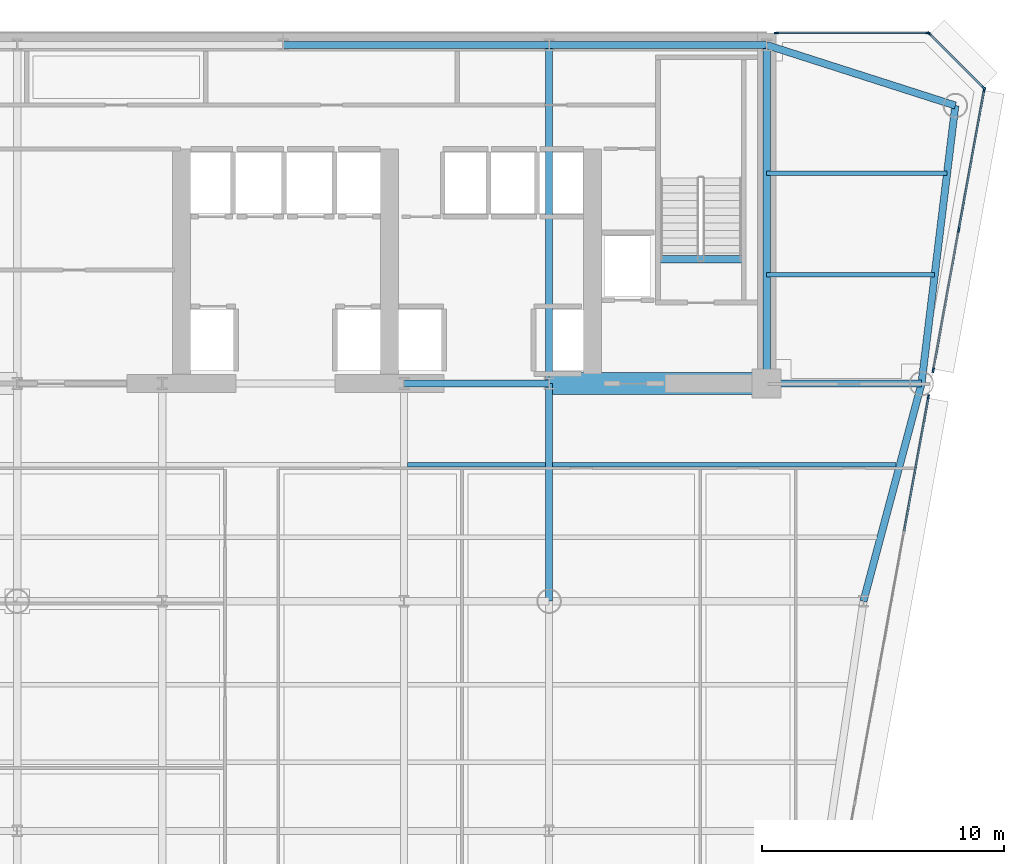
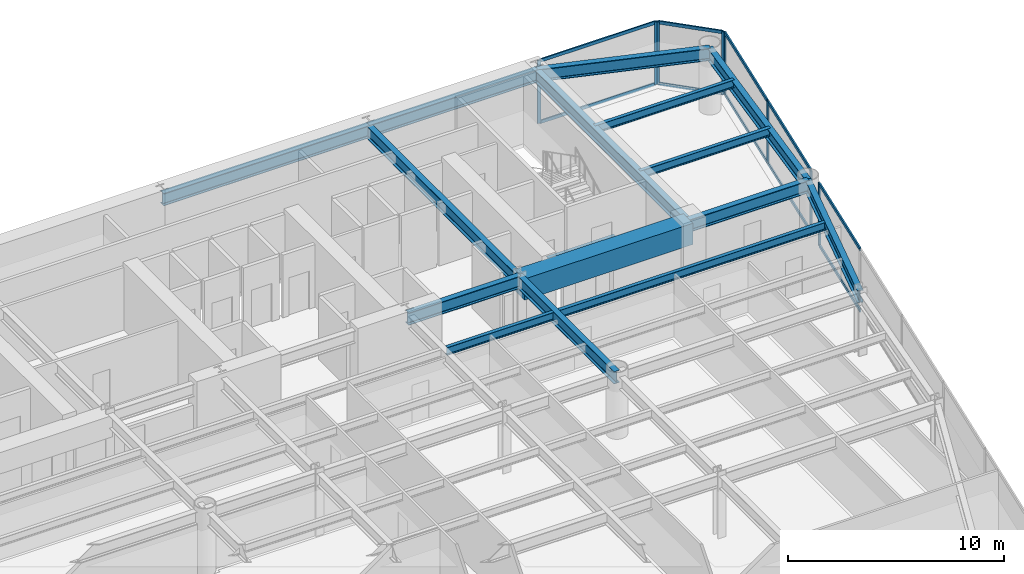
# One storey, part 6 of 14: 18 members, 16 beams, 4 elements without a shape of their own.
"""IFC4 building model written with IfcOpenShell, lengths in metres."""

import ifcopenshell
import ifcopenshell.guid

model = None  # the IFC model being written
_history = None  # IfcOwnerHistory: only IFC2X3 demands one
_inside = {}  # id of a spatial element -> (the spatial element, [elements in it])
_under = {}  # id of a project, library or spatial element -> (it, [spatial elements below it])
_declared = {}  # id of a project -> (the project, [libraries it declares])
_typed = {}  # id of a type object -> (the type object, [elements of that type])
_made_of = {}  # id of a material, layer set ... -> (it, [elements and type objects made of it])


def new_model(schema):
    """Start an empty IFC model of exactly this schema.

    Asked for "IFC4X3", IfcOpenShell would pick the latest addendum, in which some entities
    have other attributes; the version numbers below select the first issue.
    IFC2X3 requires an IfcOwnerHistory on every rooted entity: one is made here for all.
    """
    global model, _history
    if schema == "IFC4X3":
        model = ifcopenshell.file(schema_version=(4, 3, 0, 0))
    else:
        model = ifcopenshell.file(schema=schema)
    _inside.clear()
    _under.clear()
    _declared.clear()
    _typed.clear()
    _made_of.clear()
    _history = None
    if model.schema == "IFC2X3":
        org = make("IfcOrganization", Name="unknown")
        user = make(
            "IfcPersonAndOrganization",
            ThePerson=make("IfcPerson", FamilyName="unknown"),
            TheOrganization=org,
        )
        app = make(
            "IfcApplication",
            ApplicationDeveloper=org,
            Version="unknown",
            ApplicationFullName="unknown",
            ApplicationIdentifier="unknown",
        )
        _history = make(
            "IfcOwnerHistory",
            OwningUser=user,
            OwningApplication=app,
            ChangeAction="ADDED",
            CreationDate=0,
        )
    return model


def make(cls, **values):
    """One entity of the class cls with the attributes given. An attribute that is None is left unset."""
    return model.create_entity(
        cls, **{name: value for name, value in values.items() if value is not None}
    )


def rooted(cls, **values):
    """An entity with a GlobalId (a new one), such as an element, a storey or a relation."""
    return make(cls, GlobalId=ifcopenshell.guid.new(), OwnerHistory=_history, **values)


def si_unit(unit_type, name, prefix=None):
    """IfcSIUnit, for example si_unit("LENGTHUNIT", "METRE", prefix="MILLI")."""
    return make("IfcSIUnit", UnitType=unit_type, Prefix=prefix, Name=name)


def assignment(units):
    """IfcUnitAssignment: the units of a project."""
    return None if units is None else make("IfcUnitAssignment", Units=units)


def point(xyz):
    """IfcCartesianPoint."""
    return None if xyz is None else make("IfcCartesianPoint", Coordinates=xyz)


def direction(xyz):
    """IfcDirection."""
    return None if xyz is None else make("IfcDirection", DirectionRatios=xyz)


def frame(location, z_axis=None, x_axis=None):
    """IfcAxis2Placement3D, a coordinate frame: its origin and axes. An axis left out is left unset."""
    return make(
        "IfcAxis2Placement3D",
        Location=point(location),
        Axis=direction(z_axis),
        RefDirection=direction(x_axis),
    )


def frame_2d(location, x_axis=None):
    """IfcAxis2Placement2D, a coordinate frame in the plane: its origin and x axis."""
    return make(
        "IfcAxis2Placement2D", Location=point(location), RefDirection=direction(x_axis)
    )


def origin():
    """The frame at (0, 0, 0) with its axes left unset."""
    return frame((0.0, 0.0, 0.0))


def origin_2d():
    """The frame at (0, 0) in the plane with its x axis left unset."""
    return frame_2d((0.0, 0.0))


def place(relative_to, where):
    """IfcLocalPlacement: puts the frame where relative to a parent placement (None: the world)."""
    return make(
        "IfcLocalPlacement", PlacementRelTo=relative_to, RelativePlacement=where
    )


def context(
    kind, dimensions, precision=None, world=None, true_north=None, identifier=None
):
    """IfcGeometricRepresentationContext, for example the 3D "Model" context."""
    return make(
        "IfcGeometricRepresentationContext",
        ContextIdentifier=identifier,
        ContextType=kind,
        CoordinateSpaceDimension=dimensions,
        Precision=precision,
        WorldCoordinateSystem=world,
        TrueNorth=true_north,
    )


def subcontext(parent, identifier, kind, view, scale=None):
    """IfcGeometricRepresentationSubContext, for example "Body" below "Model"."""
    return make(
        "IfcGeometricRepresentationSubContext",
        ContextIdentifier=identifier,
        ContextType=kind,
        ParentContext=parent,
        TargetScale=scale,
        TargetView=view,
    )


def project(units=None, contexts=None):
    """IfcProject with its units and contexts."""
    return rooted(
        "IfcProject",
        Name="project",
        RepresentationContexts=contexts,
        UnitsInContext=assignment(units),
    )


def spatial(cls, under=None, at=None, **own):
    """A site, building, storey or space (cls), placed at a placement, below another one or the project."""
    s = rooted(cls, ObjectPlacement=at, **own)
    if under is not None:
        _under.setdefault(under.id(), (under, []))[1].append(s)
    return s


def profile(cls, at=None, kind="AREA", **sizes):
    """A parametric profile (cls). Its sizes go by their IFC names, for example OverallWidth=200.0."""
    return make(cls, ProfileType=kind, Position=at, **sizes)


def rectangle(**sizes):
    """IfcRectangleProfileDef."""
    return profile("IfcRectangleProfileDef", **sizes)


def i_section(**sizes):
    """IfcIShapeProfileDef."""
    return profile("IfcIShapeProfileDef", **sizes)


def extrude(swept, where, along, depth):
    """IfcExtrudedAreaSolid: the profile swept, set in the frame where, extruded along a direction by depth."""
    return make(
        "IfcExtrudedAreaSolid",
        SweptArea=swept,
        Position=where,
        ExtrudedDirection=direction(along),
        Depth=depth,
    )


def shape(context_of_items, identifier, shape_type, items):
    """IfcShapeRepresentation: the items that make up one representation, for example the "Body"."""
    return make(
        "IfcShapeRepresentation",
        ContextOfItems=context_of_items,
        RepresentationIdentifier=identifier,
        RepresentationType=shape_type,
        Items=items,
    )


def source(mapping_origin, context_of_items, identifier, shape_type, items):
    """IfcRepresentationMap: a shape defined once, which mapped items show again and again."""
    return make(
        "IfcRepresentationMap",
        MappingOrigin=mapping_origin,
        MappedRepresentation=shape(context_of_items, identifier, shape_type, items),
    )


def transform(
    local_origin,
    x_axis=None,
    y_axis=None,
    z_axis=None,
    scale=None,
    scale2=None,
    scale3=None,
    uniform=True,
):
    """IfcCartesianTransformationOperator3D, or its non-uniform kind. x_axis, y_axis, z_axis: its Axis1, 2, 3."""
    if uniform:
        return make(
            "IfcCartesianTransformationOperator3D",
            Axis1=direction(x_axis),
            Axis2=direction(y_axis),
            LocalOrigin=point(local_origin),
            Scale=scale,
            Axis3=direction(z_axis),
        )
    return make(
        "IfcCartesianTransformationOperator3DnonUniform",
        Axis1=direction(x_axis),
        Axis2=direction(y_axis),
        LocalOrigin=point(local_origin),
        Scale=scale,
        Axis3=direction(z_axis),
        Scale2=scale2,
        Scale3=scale3,
    )


def mapped(mapping_source, mapping_target):
    """IfcMappedItem: shows the shape of a source again, moved by a transform."""
    return make(
        "IfcMappedItem", MappingSource=mapping_source, MappingTarget=mapping_target
    )


def material(Name=None, Category=None):
    """IfcMaterial."""
    return make("IfcMaterial", Name=Name, Category=Category)


def layer(
    of_material, thickness, ventilated=None, Name=None, Category=None, Priority=None
):
    """IfcMaterialLayer: one layer of a wall or slab, of a material (None: an air gap)."""
    return make(
        "IfcMaterialLayer",
        Material=of_material,
        LayerThickness=thickness,
        IsVentilated=ventilated,
        Name=Name,
        Category=Category,
        Priority=Priority,
    )


def layer_set(layers, Name=None):
    """IfcMaterialLayerSet."""
    return make("IfcMaterialLayerSet", MaterialLayers=layers, LayerSetName=Name)


def material_profile(
    of_material, cross_section, Name=None, Category=None, Priority=None
):
    """IfcMaterialProfile: a cross section and its material."""
    return make(
        "IfcMaterialProfile",
        Name=Name,
        Material=of_material,
        Profile=cross_section,
        Priority=Priority,
        Category=Category,
    )


def profile_set(profiles, Name=None, composite=None):
    """IfcMaterialProfileSet."""
    return make(
        "IfcMaterialProfileSet",
        Name=Name,
        MaterialProfiles=profiles,
        CompositeProfile=composite,
    )


def made_of(thing, what):
    """Note that an element or type object is made of a material, layer set ...; save() writes the relation."""
    if what is not None:
        _made_of.setdefault(what.id(), (what, []))[1].append(thing)
    return thing


def type_object(cls, material=None, **own):
    """A type object (cls), such as IfcWallType, which elements share."""
    return made_of(rooted(cls, **own), material)


def element(
    cls,
    number,
    at=None,
    inside=None,
    cuts=None,
    type_object=None,
    material=None,
    context=None,
    identifier="Body",
    shape_type=None,
    held_by="IfcProductDefinitionShape",
    body=None,
    shapes=None,
    **own,
):
    """One element of the class cls, such as IfcWall. Its Tag is "e" and its number.

    at: its placement. inside: the storey or other place that contains it. cuts: it is an
    opening in that element (IfcRelVoidsElement). A single representation is given by context,
    identifier, shape_type and body (its items); several are given by shapes. held_by: the class
    of the entity that holds the representations. save() writes the other relations.
    """
    e = rooted(cls, Tag="e%d" % number, ObjectPlacement=at, **own)
    if body is not None:
        shapes = [shape(context, identifier, shape_type, body)]
    if shapes is not None:
        e.Representation = make(held_by, Representations=shapes)
    if inside is not None:
        _inside.setdefault(inside.id(), (inside, []))[1].append(e)
    if cuts is not None:
        rooted(
            "IfcRelVoidsElement", RelatingBuildingElement=cuts, RelatedOpeningElement=e
        )
    if type_object is not None:
        _typed.setdefault(type_object.id(), (type_object, []))[1].append(e)
    return made_of(e, material)


def aggregate(whole, parts):
    """IfcRelAggregates: a whole, such as a stair, and the parts it consists of."""
    return rooted("IfcRelAggregates", RelatingObject=whole, RelatedObjects=parts)


def save(model, path):
    """Write the relations noted so far, then the file.

    IfcRelAggregates (storeys below a building ...), IfcRelContainedInSpatialStructure (elements
    in a storey), IfcRelDefinesByType, IfcRelAssociatesMaterial and IfcRelDeclares: one each for
    every whole, place, type object, material and project.
    """
    for whole, parts in _under.values():
        aggregate(whole, parts)
    for where, things in _inside.values():
        rooted(
            "IfcRelContainedInSpatialStructure",
            RelatedElements=things,
            RelatingStructure=where,
        )
    for kind, things in _typed.values():
        rooted("IfcRelDefinesByType", RelatedObjects=things, RelatingType=kind)
    for what, things in _made_of.values():
        rooted("IfcRelAssociatesMaterial", RelatedObjects=things, RelatingMaterial=what)
    for by, libraries in _declared.values():
        rooted("IfcRelDeclares", RelatingContext=by, RelatedDefinitions=libraries)
    model.write(path)


model = new_model("IFC4")

# Units and contexts
model_context = context("Model", 3, precision=1e-05, world=origin(), true_north=direction((0.0, 1.0)))
body_context = subcontext(model_context, "Body", "Model", "MODEL_VIEW")
ifc_project = project(units=[si_unit("LENGTHUNIT", "METRE"), si_unit("AREAUNIT", "SQUARE_METRE"), si_unit("VOLUMEUNIT", "CUBIC_METRE"), si_unit("PLANEANGLEUNIT", "RADIAN"), si_unit("MASSUNIT", "GRAM", prefix="KILO")], contexts=[model_context])

# Site, building, storey
site_placement = place(None, origin())
site = spatial("IfcSite", under=ifc_project, at=site_placement, CompositionType="ELEMENT")
building_placement = place(site_placement, origin())
building = spatial("IfcBuilding", under=site, at=building_placement, Name="Vaeldorn Concourse Tower", CompositionType="ELEMENT")
storey_placement = place(building_placement, frame((0.0, 0.0, 145.199951171875)))
storey = spatial("IfcBuildingStorey", under=building, at=storey_placement, Name="L37", CompositionType="ELEMENT", Elevation=145.199951171875)

# Beams
ifc_material_1 = material(Name="Concrete C60/75", Category="concrete")
ifc_material_profile_1 = material_profile(ifc_material_1, rectangle(XDim=0.89990234375, YDim=1.199951171875, at=origin_2d()), Name="RC 900x1200")
ifc_profile_set_1 = profile_set([ifc_material_profile_1], Name="Concrete C60/75")
beam_type_1 = type_object("IfcBeamType", Name="BM-CB-RC900", PredefinedType="BEAM", material=ifc_profile_set_1)
shared_shape_1 = source(origin(), body_context, "Body", "SweptSolid", [
    extrude(rectangle(XDim=0.89990234375, YDim=1.199951171875, at=origin_2d()), origin(), (0.0, 0.0, 1.0), 9.0),
])
beam_1_placement = place(storey_placement, frame((45.0, 36.5, 2.93994140625), z_axis=(1.0, 0.0, 0.0), x_axis=(0.0, 1.0, 0.0)))
element("IfcBeam", 1, at=beam_1_placement, inside=storey, type_object=beam_type_1, Name="Core Coupling Beam L37-2", PredefinedType="BEAM", context=body_context, shape_type="MappedRepresentation", body=[
    mapped(shared_shape_1, transform((0.0, 0.0, 0.0), scale=1.0)),
])
ifc_material_2 = material(Name="Steel S355", Category="steel")
ifc_material_profile_2 = material_profile(ifc_material_2, i_section(OverallWidth=0.300048828125, OverallDepth=0.340087890625, WebThickness=0.011962890625, FlangeThickness=0.021484375, FilletRadius=0.027099609375, at=origin_2d()), Name="HEB 340")
ifc_profile_set_2 = profile_set([ifc_material_profile_2], Name="Steel S355")
beam_type_2 = type_object("IfcBeamType", Name="BM-ST-TRIM", PredefinedType="BEAM", material=ifc_profile_set_2)
shared_shape_2 = source(origin(), body_context, "Body", "SweptSolid", [
    extrude(i_section(OverallWidth=0.300048828125, OverallDepth=0.340087890625, WebThickness=0.011962890625, FlangeThickness=0.021484375, FilletRadius=0.027099609375, at=origin_2d()), origin(), (0.0, 0.0, 1.0), 3.590087890625),
])
beam_2_placement = place(storey_placement, frame((49.47998046875, 41.639892578125, -0.389892578125), z_axis=(1.0, 0.0, 0.0), x_axis=(0.0, 1.0, 0.0)))
element("IfcBeam", 2, at=beam_2_placement, inside=storey, type_object=beam_type_2, Name="Stair Landing Trimmer Beam ST-2 L37", PredefinedType="BEAM", context=body_context, shape_type="MappedRepresentation", body=[
    mapped(shared_shape_2, transform((0.0, 0.0, 0.0), scale=1.0)),
])
ifc_material_profile_3 = material_profile(ifc_material_2, i_section(OverallWidth=0.300048828125, OverallDepth=0.699951171875, WebThickness=0.01708984375, FlangeThickness=0.031982421875, FilletRadius=0.027099609375, at=origin_2d()), Name="HEB 700")
ifc_profile_set_3 = profile_set([ifc_material_profile_3], Name="Steel S355")
beam_type_3 = type_object("IfcBeamType", Name="BM-PG-HEB700", PredefinedType="BEAM", material=ifc_profile_set_3)
shared_shape_3 = source(origin(), body_context, "Body", "SweptSolid", [
    extrude(i_section(OverallWidth=0.300048828125, OverallDepth=0.699951171875, WebThickness=0.01708984375, FlangeThickness=0.031982421875, FilletRadius=0.027099609375, at=origin_2d()), origin(), (0.0, 0.0, 1.0), 6.0),
])
beam_3_placement = place(storey_placement, frame((39.0, 36.5, 3.18994140625), z_axis=(1.0, 0.0, 0.0), x_axis=(0.0, 1.0, 0.0)))
element("IfcBeam", 3, at=beam_3_placement, inside=storey, type_object=beam_type_3, Name="Beam BM-L37-C-FC4-C-FC5", PredefinedType="BEAM", context=body_context, shape_type="MappedRepresentation", body=[
    mapped(shared_shape_3, transform((0.0, 0.0, 0.0), scale=1.0)),
])
shared_shape_4 = source(origin(), body_context, "Body", "SweptSolid", [
    extrude(i_section(OverallWidth=0.300048828125, OverallDepth=0.699951171875, WebThickness=0.01708984375, FlangeThickness=0.031982421875, FilletRadius=0.027099609375, at=origin_2d()), origin(), (0.0, 0.0, 1.0), 9.0),
])
for number, where, z_axis, x_axis, name in (
    (4, (45.0, 50.5, 3.18994140625), (1.0, 0.0, 0.0), (0.0, 1.0, 0.0), "Beam BM-L37-C-HC4-C-HC5"),
    (5, (45.0, 27.5, 3.18994140625), (0.0, 1.0, 0.0), (-1.0, 0.0, 0.0), "Beam BM-L37-C-TW4-C-FC5"),
):
    element("IfcBeam", number, at=place(storey_placement, frame(where, z_axis=z_axis, x_axis=x_axis)), inside=storey, type_object=beam_type_3, Name=name, PredefinedType="BEAM", context=body_context, shape_type="MappedRepresentation", body=[
        mapped(shared_shape_4, transform((0.0, 0.0, 0.0), scale=1.0)),
    ])
shared_shape_5 = source(origin(), body_context, "Body", "SweptSolid", [
    extrude(i_section(OverallWidth=0.300048828125, OverallDepth=0.699951171875, WebThickness=0.01708984375, FlangeThickness=0.031982421875, FilletRadius=0.027099609375, at=origin_2d()), origin(), (0.0, 0.0, 1.0), 11.0),
])
beam_4_placement = place(storey_placement, frame((34.0, 50.5, 3.18994140625), z_axis=(1.0, 0.0, 0.0), x_axis=(0.0, 1.0, 0.0)))
element("IfcBeam", 6, at=beam_4_placement, inside=storey, type_object=beam_type_3, Name="Beam BM-L37-C-HC3-C-HC4", PredefinedType="BEAM", context=body_context, shape_type="MappedRepresentation", body=[
    mapped(shared_shape_5, transform((0.0, 0.0, 0.0), scale=1.0)),
])
shared_shape_6 = source(origin(), body_context, "Body", "SweptSolid", [
    extrude(i_section(OverallWidth=0.300048828125, OverallDepth=0.699951171875, WebThickness=0.01708984375, FlangeThickness=0.031982421875, FilletRadius=0.027099609375, at=origin_2d()), origin(), (0.0, 0.0, 1.0), 14.0),
])
for number, where, z_axis, x_axis, name in (
    (7, (45.0, 36.5, 3.18994140625), (0.0, 1.0, 0.0), (-1.0, 0.0, 0.0), "Beam BM-L37-C-FC5-C-HC4"),
    (8, (54.0, 36.5, 3.18994140625), (0.0, 1.0, 0.0), (-1.0, 0.0, 0.0), "Beam BM-L37-C-FC6-C-HC5"),
):
    element("IfcBeam", number, at=place(storey_placement, frame(where, z_axis=z_axis, x_axis=x_axis)), inside=storey, type_object=beam_type_3, Name=name, PredefinedType="BEAM", context=body_context, shape_type="MappedRepresentation", body=[
        mapped(shared_shape_6, transform((0.0, 0.0, 0.0), scale=1.0)),
    ])
shared_shape_7 = source(origin(), body_context, "Body", "SweptSolid", [
    extrude(i_section(OverallWidth=0.300048828125, OverallDepth=0.699951171875, WebThickness=0.01708984375, FlangeThickness=0.031982421875, FilletRadius=0.027099609375, at=origin_2d()), origin(), (0.0, 0.0, 1.0), 8.19091796875),
])
beam_5_placement = place(storey_placement, frame((54.0, 50.5, 3.18994140625), z_axis=(0.952282843383, -0.305216949396, 0.0), x_axis=(0.305216949396, 0.952282843383, 0.0)))
element("IfcBeam", 9, at=beam_5_placement, inside=storey, type_object=beam_type_3, Name="Beam BM-L37-C-HC5-C-NE1", PredefinedType="BEAM", context=body_context, shape_type="MappedRepresentation", body=[
    mapped(shared_shape_7, transform((0.0, 0.0, 0.0), scale=1.0)),
])
shared_shape_8 = source(origin(), body_context, "Body", "SweptSolid", [
    extrude(i_section(OverallWidth=0.300048828125, OverallDepth=0.699951171875, WebThickness=0.01708984375, FlangeThickness=0.031982421875, FilletRadius=0.027099609375, at=origin_2d()), origin(), (0.0, 0.0, 1.0), 11.5849609375),
])
beam_6_placement = place(storey_placement, frame((61.800048828125, 48.0, 3.18994140625), z_axis=(-0.120859382899, -0.992669637677, 0.0), x_axis=(0.992669637677, -0.120859382899, 0.0)))
element("IfcBeam", 10, at=beam_6_placement, inside=storey, type_object=beam_type_3, Name="Beam BM-L37-C-NE1-C-NE2", PredefinedType="BEAM", context=body_context, shape_type="MappedRepresentation", body=[
    mapped(shared_shape_8, transform((0.0, 0.0, 0.0), scale=1.0)),
])
shared_shape_9 = source(origin(), body_context, "Body", "SweptSolid", [
    extrude(i_section(OverallWidth=0.300048828125, OverallDepth=0.699951171875, WebThickness=0.01708984375, FlangeThickness=0.031982421875, FilletRadius=0.027099609375, at=origin_2d()), origin(), (0.0, 0.0, 1.0), 6.39990234375),
])
beam_7_placement = place(storey_placement, frame((54.0, 36.5, 3.18994140625), z_axis=(1.0, 0.0, 0.0), x_axis=(0.0, 1.0, 0.0)))
element("IfcBeam", 11, at=beam_7_placement, inside=storey, type_object=beam_type_3, Name="Beam BM-L37-C-FC6-C-NE2", PredefinedType="BEAM", context=body_context, shape_type="MappedRepresentation", body=[
    mapped(shared_shape_9, transform((0.0, 0.0, 0.0), scale=1.0)),
])
shared_shape_10 = source(origin(), body_context, "Body", "SweptSolid", [
    extrude(i_section(OverallWidth=0.300048828125, OverallDepth=0.699951171875, WebThickness=0.01708984375, FlangeThickness=0.031982421875, FilletRadius=0.027099609375, at=origin_2d()), origin(), (0.0, 0.0, 1.0), 9.314453125),
])
beam_8_placement = place(storey_placement, frame((60.39990234375, 36.5, 3.18994140625), z_axis=(-0.257652862255, -0.966237549763, 0.0), x_axis=(0.966237549763, -0.257652862255, 0.0)))
element("IfcBeam", 12, at=beam_8_placement, inside=storey, type_object=beam_type_3, Name="Beam BM-L37-C-NE2-C-FLE1", PredefinedType="BEAM", context=body_context, shape_type="MappedRepresentation", body=[
    mapped(shared_shape_10, transform((0.0, 0.0, 0.0), scale=1.0)),
])
ifc_material_profile_4 = material_profile(ifc_material_2, i_section(OverallWidth=0.18994140625, OverallDepth=0.449951171875, WebThickness=0.009521484375, FlangeThickness=0.0146484375, FilletRadius=0.02099609375, at=origin_2d()), Name="IPE 450")
ifc_profile_set_4 = profile_set([ifc_material_profile_4], Name="Steel S355")
beam_type_4 = type_object("IfcBeamType", Name="BM-JS-IPE450", PredefinedType="JOIST", material=ifc_profile_set_4)
shared_shape_11 = source(origin(), body_context, "Body", "SweptSolid", [
    extrude(i_section(OverallWidth=0.18994140625, OverallDepth=0.449951171875, WebThickness=0.009521484375, FlangeThickness=0.0146484375, FilletRadius=0.02099609375, at=origin_2d()), origin(), (0.0, 0.0, 1.0), 5.7001953125),
])
beam_9_placement = place(storey_placement, frame((39.14990234375, 33.139892578125, 3.31494140625), z_axis=(1.0, 0.0, 0.0), x_axis=(0.0, 1.0, 0.0)))
element("IfcBeam", 13, at=beam_9_placement, inside=storey, type_object=beam_type_4, Name="Beam JS-L37-E2-331", PredefinedType="JOIST", context=body_context, shape_type="MappedRepresentation", body=[
    mapped(shared_shape_11, transform((0.0, 0.0, 0.0), scale=1.0)),
])
shared_shape_12 = source(origin(), body_context, "Body", "SweptSolid", [
    extrude(i_section(OverallWidth=0.18994140625, OverallDepth=0.449951171875, WebThickness=0.009521484375, FlangeThickness=0.0146484375, FilletRadius=0.02099609375, at=origin_2d()), origin(), (0.0, 0.0, 1.0), 14.2041015625),
])
beam_10_placement = place(storey_placement, frame((45.14990234375, 33.139892578125, 3.31494140625), z_axis=(1.0, 0.0, 0.0), x_axis=(0.0, 1.0, 0.0)))
element("IfcBeam", 14, at=beam_10_placement, inside=storey, type_object=beam_type_4, Name="Beam JS-L37-E1-331", PredefinedType="JOIST", context=body_context, shape_type="MappedRepresentation", body=[
    mapped(shared_shape_12, transform((0.0, 0.0, 0.0), scale=1.0)),
])
shared_shape_13 = source(origin(), body_context, "Body", "SweptSolid", [
    extrude(i_section(OverallWidth=0.18994140625, OverallDepth=0.449951171875, WebThickness=0.009521484375, FlangeThickness=0.0146484375, FilletRadius=0.02099609375, at=origin_2d()), origin(), (0.0, 0.0, 1.0), 6.94775390625),
])
beam_11_placement = place(storey_placement, frame((54.0, 41.0, 3.31494140625), z_axis=(1.0, 0.0, 0.0), x_axis=(0.0, 1.0, 0.0)))
element("IfcBeam", 15, at=beam_11_placement, inside=storey, type_object=beam_type_4, Name="Beam JS-L37-NE-410", PredefinedType="JOIST", context=body_context, shape_type="MappedRepresentation", body=[
    mapped(shared_shape_13, transform((0.0, 0.0, 0.0), scale=1.0)),
])
shared_shape_14 = source(origin(), body_context, "Body", "SweptSolid", [
    extrude(i_section(OverallWidth=0.18994140625, OverallDepth=0.449951171875, WebThickness=0.009521484375, FlangeThickness=0.0146484375, FilletRadius=0.02099609375, at=origin_2d()), origin(), (0.0, 0.0, 1.0), 7.458984375),
])
beam_12_placement = place(storey_placement, frame((54.0, 45.199951171875, 3.31494140625), z_axis=(1.0, 0.0, 0.0), x_axis=(0.0, 1.0, 0.0)))
element("IfcBeam", 16, at=beam_12_placement, inside=storey, type_object=beam_type_4, Name="Beam JS-L37-NE-452", PredefinedType="JOIST", context=body_context, shape_type="MappedRepresentation", body=[
    mapped(shared_shape_14, transform((0.0, 0.0, 0.0), scale=1.0)),
])

# Curtain wall, members
ifc_material_3 = material(Name="Anodised Bronze Aluminium", Category="aluminium")
ifc_layer = layer(ifc_material_3, 0.199951171875)
ifc_layer_set = layer_set([ifc_layer], Name="Anodised Bronze Aluminium")
curtain_wall_type = type_object("IfcCurtainWallType", Name="CW-SYS-02", PredefinedType="NOTDEFINED", material=ifc_layer_set)
curtain_wall_1_placement = place(storey_placement, origin())
curtain_wall_1 = element("IfcCurtainWall", 17, at=curtain_wall_1_placement, inside=storey, type_object=curtain_wall_type, Name="Unitised Curtain Wall CW-L37-E08-1", PredefinedType="NOTDEFINED")
ifc_material_profile_5 = material_profile(ifc_material_3, rectangle(XDim=0.074951171875, YDim=0.179931640625, at=origin_2d()), Name="CWT 75x180")
ifc_profile_set_5 = profile_set([ifc_material_profile_5], Name="Anodised Bronze Aluminium")
member_type_1 = type_object("IfcMemberType", Name="CWT-BRONZE-180", PredefinedType="USERDEFINED", material=ifc_profile_set_5)
shared_shape_15 = source(origin(), body_context, "Body", "SweptSolid", [
    extrude(rectangle(XDim=0.074951171875, YDim=0.179931640625, at=origin_2d()), origin(), (0.0, 0.0, 1.0), 3.10302734375),
])
member_1_placement = place(storey_placement, frame((62.947021484375, 48.7529296875, 0.03759765625), z_axis=(-0.707106781187, 0.707106781187, 0.0), x_axis=(-0.707106781187, -0.707106781187, 0.0)))
member_1 = element("IfcMember", 18, at=member_1_placement, type_object=member_type_1, Name="CW-02 transom 1.1", ObjectType="TRANSOM", PredefinedType="USERDEFINED", context=body_context, shape_type="MappedRepresentation", body=[
    mapped(shared_shape_15, transform((0.0, 0.0, 0.0), scale=1.0)),
])
member_2_placement = place(storey_placement, frame((62.947021484375, 48.7529296875, 3.50244140625), z_axis=(-0.707106781187, 0.707106781187, 0.0), x_axis=(-0.707106781187, -0.707106781187, 0.0)))
member_2 = element("IfcMember", 19, at=member_2_placement, type_object=member_type_1, Name="CW-02 transom 1.2", ObjectType="TRANSOM", PredefinedType="USERDEFINED", context=body_context, shape_type="MappedRepresentation", body=[
    mapped(shared_shape_15, transform((0.0, 0.0, 0.0), scale=1.0)),
])

curtain_wall_2_placement = place(storey_placement, origin())
curtain_wall_2 = element("IfcCurtainWall", 20, at=curtain_wall_2_placement, inside=storey, type_object=curtain_wall_type, Name="Unitised Curtain Wall CW-L37-E09-1", PredefinedType="NOTDEFINED")
shared_shape_16 = source(origin(), body_context, "Body", "SweptSolid", [
    extrude(rectangle(XDim=0.074951171875, YDim=0.179931640625, at=origin_2d()), origin(), (0.0, 0.0, 1.0), 6.179931640625),
])
member_3_placement = place(storey_placement, frame((60.625, 51.0, 0.03759765625), z_axis=(-1.0, 0.0, 0.0), x_axis=(0.0, -1.0, 0.0)))
member_3 = element("IfcMember", 21, at=member_3_placement, type_object=member_type_1, Name="CW-02 transom 1.1", ObjectType="TRANSOM", PredefinedType="USERDEFINED", context=body_context, shape_type="MappedRepresentation", body=[
    mapped(shared_shape_16, transform((0.0, 0.0, 0.0), scale=1.0)),
])
member_4_placement = place(storey_placement, frame((60.625, 51.0, 3.50244140625), z_axis=(-1.0, 0.0, 0.0), x_axis=(0.0, -1.0, 0.0)))
member_4 = element("IfcMember", 22, at=member_4_placement, type_object=member_type_1, Name="CW-02 transom 1.2", ObjectType="TRANSOM", PredefinedType="USERDEFINED", context=body_context, shape_type="MappedRepresentation", body=[
    mapped(shared_shape_16, transform((0.0, 0.0, 0.0), scale=1.0)),
])

curtain_wall_3_placement = place(storey_placement, origin())
curtain_wall_3 = element("IfcCurtainWall", 23, at=curtain_wall_3_placement, inside=storey, type_object=curtain_wall_type, Name="Unitised Curtain Wall CW-L37-E07-2", PredefinedType="NOTDEFINED")
shared_shape_17 = source(origin(), body_context, "Body", "SweptSolid", [
    extrude(rectangle(XDim=0.074951171875, YDim=0.179931640625, at=origin_2d()), origin(), (0.0, 0.0, 1.0), 5.82373046875),
])
member_5_placement = place(storey_placement, frame((60.894775390625, 37.091796875, 0.03759765625), z_axis=(0.178461172786, 0.983946954773, 0.0), x_axis=(-0.983946954773, 0.178461172786, 0.0)))
member_5 = element("IfcMember", 24, at=member_5_placement, type_object=member_type_1, Name="CW-02 transom 1.1", ObjectType="TRANSOM", PredefinedType="USERDEFINED", context=body_context, shape_type="MappedRepresentation", body=[
    mapped(shared_shape_17, transform((0.0, 0.0, 0.0), scale=1.0)),
])
member_6_placement = place(storey_placement, frame((60.894775390625, 37.091796875, 3.50244140625), z_axis=(0.178461172786, 0.983946954773, 0.0), x_axis=(-0.983946954773, 0.178461172786, 0.0)))
member_6 = element("IfcMember", 25, at=member_6_placement, type_object=member_type_1, Name="CW-02 transom 1.2", ObjectType="TRANSOM", PredefinedType="USERDEFINED", context=body_context, shape_type="MappedRepresentation", body=[
    mapped(shared_shape_17, transform((0.0, 0.0, 0.0), scale=1.0)),
])
member_7_placement = place(storey_placement, frame((61.947509765625, 42.89599609375, 0.03759765625), z_axis=(0.178420585657, 0.983954315308, 0.0), x_axis=(-0.983954315308, 0.178420585657, 0.0)))
member_7 = element("IfcMember", 26, at=member_7_placement, type_object=member_type_1, Name="CW-02 transom 2.1", ObjectType="TRANSOM", PredefinedType="USERDEFINED", context=body_context, shape_type="MappedRepresentation", body=[
    mapped(shared_shape_17, transform((0.0, 0.0, 0.0), scale=1.0)),
])
member_8_placement = place(storey_placement, frame((61.947509765625, 42.89599609375, 3.50244140625), z_axis=(0.178420585657, 0.983954315308, 0.0), x_axis=(-0.983954315308, 0.178420585657, 0.0)))
member_8 = element("IfcMember", 27, at=member_8_placement, type_object=member_type_1, Name="CW-02 transom 2.2", ObjectType="TRANSOM", PredefinedType="USERDEFINED", context=body_context, shape_type="MappedRepresentation", body=[
    mapped(shared_shape_17, transform((0.0, 0.0, 0.0), scale=1.0)),
])

# Curtain wall, member
curtain_wall_4_placement = place(storey_placement, origin())
curtain_wall_4 = element("IfcCurtainWall", 28, at=curtain_wall_4_placement, inside=storey, type_object=curtain_wall_type, Name="Unitised Curtain Wall CW-L37-E07-1", PredefinedType="NOTDEFINED")
ifc_material_profile_6 = material_profile(ifc_material_3, rectangle(XDim=0.074951171875, YDim=0.18994140625, at=origin_2d()), Name="CWM 75x190")
ifc_profile_set_6 = profile_set([ifc_material_profile_6], Name="Anodised Bronze Aluminium")
member_type_2 = type_object("IfcMemberType", Name="CWM-BRONZE-190", PredefinedType="MULLION", material=ifc_profile_set_6)
shared_shape_18 = source(origin(), body_context, "Body", "SweptSolid", [
    extrude(rectangle(XDim=0.074951171875, YDim=0.18994140625, at=origin_2d()), origin(), (0.0, 0.0, 1.0), 3.5400390625),
])
member_9_placement = place(storey_placement, frame((60.686767578125, 35.945068359375, 0.0), z_axis=(0.0, 0.0, 1.0), x_axis=(-0.983949505309, 0.178447109818, 0.0)))
member_9 = element("IfcMember", 29, at=member_9_placement, type_object=member_type_2, Name="CW-02 mullion 7", PredefinedType="MULLION", context=body_context, shape_type="MappedRepresentation", body=[
    mapped(shared_shape_18, transform((0.0, 0.0, 0.0), scale=1.0)),
])

# Member
member_10_placement = place(storey_placement, frame((60.88818359375, 37.054931640625, 0.0), z_axis=(0.0, 0.0, 1.0), x_axis=(-0.983949861748, 0.178445144419, 0.0)))
member_10 = element("IfcMember", 30, at=member_10_placement, type_object=member_type_2, Name="CW-02 mullion 1", PredefinedType="MULLION", context=body_context, shape_type="MappedRepresentation", body=[
    mapped(shared_shape_18, transform((0.0, 0.0, 0.0), scale=1.0)),
])

member_11_placement = place(storey_placement, frame((61.940673828125, 42.85888671875, 0.0), z_axis=(0.0, 0.0, 1.0), x_axis=(-0.983949861748, 0.178445144419, 0.0)))
member_11 = element("IfcMember", 31, at=member_11_placement, type_object=member_type_2, Name="CW-02 mullion 2", PredefinedType="MULLION", context=body_context, shape_type="MappedRepresentation", body=[
    mapped(shared_shape_18, transform((0.0, 0.0, 0.0), scale=1.0)),
])

member_12_placement = place(storey_placement, frame((62.993408203125, 48.6630859375, 0.0), z_axis=(0.0, 0.0, 1.0), x_axis=(-0.983949861748, 0.178445144419, 0.0)))
member_12 = element("IfcMember", 32, at=member_12_placement, type_object=member_type_2, Name="CW-02 mullion 3", PredefinedType="MULLION", context=body_context, shape_type="MappedRepresentation", body=[
    mapped(shared_shape_18, transform((0.0, 0.0, 0.0), scale=1.0)),
])

aggregate(curtain_wall_3, [member_10, member_11, member_12, member_5, member_6, member_7, member_8])

member_13_placement = place(storey_placement, frame((62.973388671875, 48.7265625, 0.0), z_axis=(0.0, 0.0, 1.0), x_axis=(-0.707106781187, -0.707106781187, 0.0)))
member_13 = element("IfcMember", 33, at=member_13_placement, type_object=member_type_2, Name="CW-02 mullion 1", PredefinedType="MULLION", context=body_context, shape_type="MappedRepresentation", body=[
    mapped(shared_shape_18, transform((0.0, 0.0, 0.0), scale=1.0)),
])

member_14_placement = place(storey_placement, frame((60.7265625, 50.973388671875, 0.0), z_axis=(0.0, 0.0, 1.0), x_axis=(-0.707106781187, -0.707106781187, 0.0)))
member_14 = element("IfcMember", 34, at=member_14_placement, type_object=member_type_2, Name="CW-02 mullion 2", PredefinedType="MULLION", context=body_context, shape_type="MappedRepresentation", body=[
    mapped(shared_shape_18, transform((0.0, 0.0, 0.0), scale=1.0)),
])

aggregate(curtain_wall_1, [member_13, member_14, member_1, member_2])

member_15_placement = place(storey_placement, frame((60.66259765625, 51.0, 0.0), z_axis=(0.0, 0.0, 1.0), x_axis=(0.0, -1.0, 0.0)))
member_15 = element("IfcMember", 35, at=member_15_placement, type_object=member_type_2, Name="CW-02 mullion 1", PredefinedType="MULLION", context=body_context, shape_type="MappedRepresentation", body=[
    mapped(shared_shape_18, transform((0.0, 0.0, 0.0), scale=1.0)),
])

member_16_placement = place(storey_placement, frame((54.407470703125, 51.0, 0.0), z_axis=(0.0, 0.0, 1.0), x_axis=(0.0, -1.0, 0.0)))
member_16 = element("IfcMember", 36, at=member_16_placement, type_object=member_type_2, Name="CW-02 mullion 2", PredefinedType="MULLION", context=body_context, shape_type="MappedRepresentation", body=[
    mapped(shared_shape_18, transform((0.0, 0.0, 0.0), scale=1.0)),
])

aggregate(curtain_wall_2, [member_15, member_16, member_3, member_4])

shared_shape_19 = source(origin(), body_context, "Body", "SweptSolid", [
    extrude(rectangle(XDim=0.074951171875, YDim=0.179931640625, at=origin_2d()), origin(), (0.0, 0.0, 1.0), 5.5927734375),
])
member_17_placement = place(storey_placement, frame((59.68212890625, 30.4052734375, 0.03759765625), z_axis=(0.178455173007, 0.983948042951, 0.0), x_axis=(-0.983948042951, 0.178455173007, 0.0)))
member_17 = element("IfcMember", 37, at=member_17_placement, type_object=member_type_1, Name="CW-02 transom 6.1", ObjectType="TRANSOM", PredefinedType="USERDEFINED", context=body_context, shape_type="MappedRepresentation", body=[
    mapped(shared_shape_19, transform((0.0, 0.0, 0.0), scale=1.0)),
])

member_18_placement = place(storey_placement, frame((59.68212890625, 30.4052734375, 3.50244140625), z_axis=(0.178455173007, 0.983948042951, 0.0), x_axis=(-0.983948042951, 0.178455173007, 0.0)))
member_18 = element("IfcMember", 38, at=member_18_placement, type_object=member_type_1, Name="CW-02 transom 6.2", ObjectType="TRANSOM", PredefinedType="USERDEFINED", context=body_context, shape_type="MappedRepresentation", body=[
    mapped(shared_shape_19, transform((0.0, 0.0, 0.0), scale=1.0)),
])

aggregate(curtain_wall_4, [member_9, member_17, member_18])

save(model, "model.ifc")
